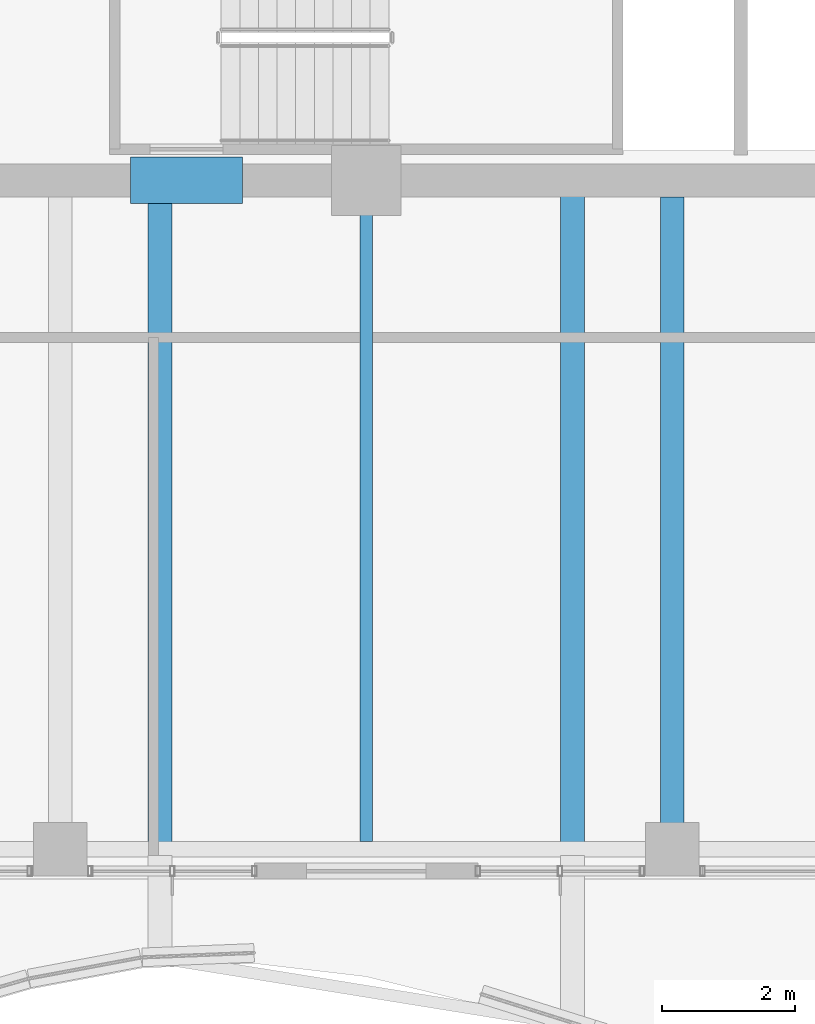
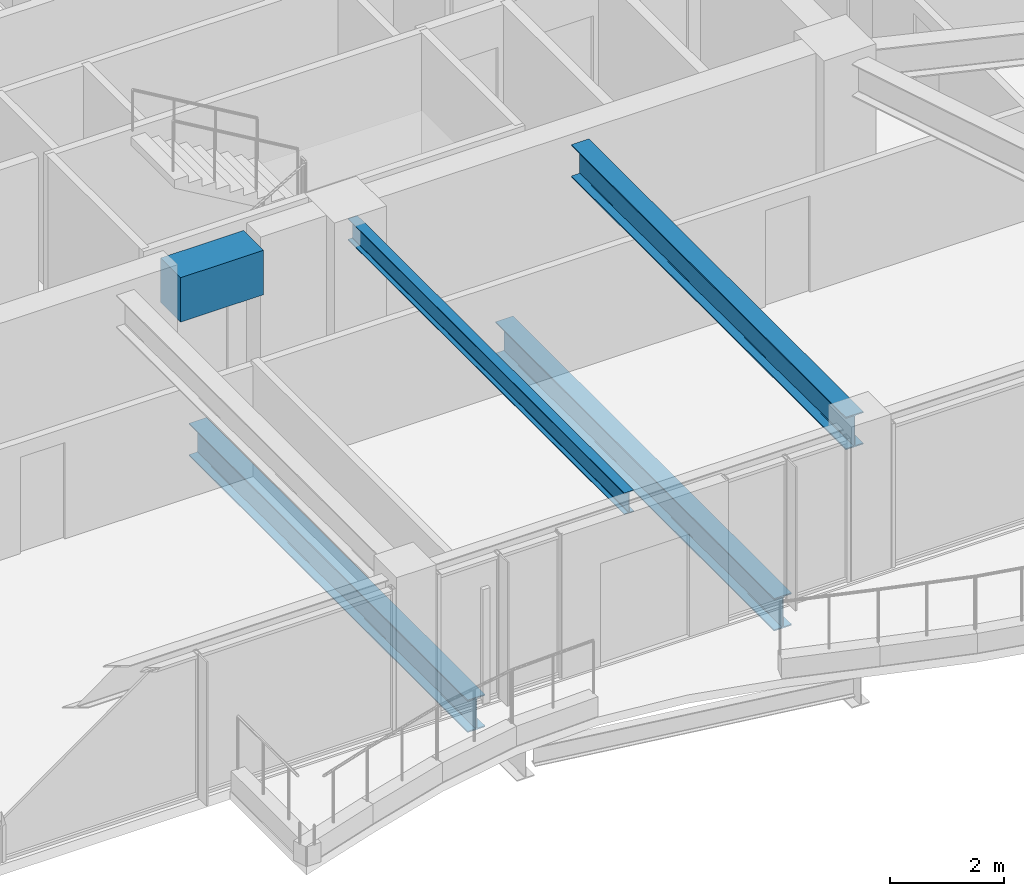
# One storey, part 8 of 36: 5 beams.
"""IFC4 building model written with IfcOpenShell, lengths in metres."""

from ifc_helpers import new_model, si_unit, direction, frame, origin, origin_2d, place, context, subcontext, project, spatial, rectangle, i_section, extrude, material, material_profile, profile_set, type_object, element, save


model = new_model("IFC4")

# Units and contexts
model_context = context("Model", 3, precision=1e-05, world=origin(), true_north=direction((0.0, 1.0)))
body_context = subcontext(model_context, "Body", "Model", "MODEL_VIEW")
ifc_project = project(units=[si_unit("LENGTHUNIT", "METRE"), si_unit("AREAUNIT", "SQUARE_METRE"), si_unit("VOLUMEUNIT", "CUBIC_METRE"), si_unit("PLANEANGLEUNIT", "RADIAN"), si_unit("MASSUNIT", "GRAM", prefix="KILO")], contexts=[model_context])

# Site, building, storey
site_placement = place(None, origin())
site = spatial("IfcSite", under=ifc_project, at=site_placement, CompositionType="ELEMENT")
building_placement = place(site_placement, origin())
building = spatial("IfcBuilding", under=site, at=building_placement, Name="Kolvaren Belvedere", CompositionType="ELEMENT")
storey_placement = place(building_placement, frame((0.0, 0.0, 199.800048828125)))
storey = spatial("IfcBuildingStorey", under=building, at=storey_placement, Name="L58", CompositionType="ELEMENT", Elevation=199.800048828125)

# Beams
ifc_material_1 = material(Name="Structural steel ASTM A992 Grade 50", Category="steel")
ifc_material_profile_1 = material_profile(ifc_material_1, i_section(OverallWidth=0.35498046875, OverallDepth=0.696044921875, WebThickness=0.015380859375, FlangeThickness=0.02490234375, FilletRadius=0.02197265625, at=origin_2d()), Name="W27X146")
ifc_profile_set_1 = profile_set([ifc_material_profile_1], Name="Structural steel ASTM A992 Grade 50")
beam_type_1 = type_object("IfcBeamType", Name="BM-GIRD-W27X146", PredefinedType="BEAM", material=ifc_profile_set_1)
for number, where, z_axis, x_axis, name in (
    (1, (-3.10009765625, -10.090087890625, -0.568115234375), (0.0, -1.0, 0.0), (1.0, 0.0, 0.0), "L58 Balcony Interior Back-Span Girder BAL-S-1"),
    (2, (3.10009765625, -10.090087890625, -0.568115234375), (0.0, -1.0, 0.0), (1.0, 0.0, 0.0), "L58 Balcony Interior Back-Span Girder BAL-S-2"),
):
    element("IfcBeam", number, at=place(storey_placement, frame(where, z_axis=z_axis, x_axis=x_axis)), inside=storey, type_object=beam_type_1, Name=name, PredefinedType="BEAM", context=body_context, shape_type="SweptSolid", body=[
        extrude(i_section(OverallWidth=0.35498046875, OverallDepth=0.696044921875, WebThickness=0.015380859375, FlangeThickness=0.02490234375, FilletRadius=0.02197265625, at=origin_2d()), origin(), (0.0, 0.0, 1.0), 9.764892578125),
    ])
beam_1_placement = place(storey_placement, frame((4.60009765625, -10.14990234375, 2.73193359375), z_axis=(0.0, -1.0, 0.0), x_axis=(1.0, 0.0, 0.0)))
element("IfcBeam", 3, at=beam_1_placement, inside=storey, type_object=beam_type_1, Name="L58 South Radial Girder P", PredefinedType="BEAM", context=body_context, shape_type="SweptSolid", body=[
    extrude(i_section(OverallWidth=0.35498046875, OverallDepth=0.696044921875, WebThickness=0.015380859375, FlangeThickness=0.02490234375, FilletRadius=0.02197265625, at=origin_2d()), origin(), (0.0, 0.0, 1.0), 9.6201171875),
])
ifc_material_2 = material(Name="Structural steel ASTM A992 Grade 50", Category="steel")
ifc_material_profile_2 = material_profile(ifc_material_2, i_section(OverallWidth=0.19091796875, OverallDepth=0.4599609375, WebThickness=0.010009765625, FlangeThickness=0.01611328125, FilletRadius=0.014892578125, at=origin_2d()), Name="W18X55")
ifc_profile_set_2 = profile_set([ifc_material_profile_2], Name="Structural steel ASTM A992 Grade 50")
beam_type_2 = type_object("IfcBeamType", Name="BM-JOIST-W18X55", PredefinedType="BEAM", material=ifc_profile_set_2)
beam_2_placement = place(storey_placement, frame((0.0, -10.14990234375, 2.849853515625), z_axis=(0.0, -1.0, 0.0), x_axis=(1.0, 0.0, 0.0)))
element("IfcBeam", 4, at=beam_2_placement, inside=storey, type_object=beam_type_2, Name="L58 South Centre Floor Beam", PredefinedType="BEAM", context=body_context, shape_type="SweptSolid", body=[
    extrude(i_section(OverallWidth=0.19091796875, OverallDepth=0.4599609375, WebThickness=0.010009765625, FlangeThickness=0.01611328125, FilletRadius=0.014892578125, at=origin_2d()), origin(), (0.0, 0.0, 1.0), 9.685546875),
])
ifc_material_3 = material(Name="Concrete C60/75", Category="concrete")
ifc_material_profile_3 = material_profile(ifc_material_3, rectangle(XDim=0.699951171875, YDim=0.949951171875, at=origin_2d()), Name="RC 700X950")
ifc_profile_set_3 = profile_set([ifc_material_profile_3], Name="Concrete C60/75")
beam_type_3 = type_object("IfcBeamType", Name="BM-LINT-950", PredefinedType="LINTEL", material=ifc_profile_set_3)
beam_3_placement = place(storey_placement, frame((-3.5400390625, -9.89990234375, 2.60498046875), z_axis=(1.0, 0.0, 0.0), x_axis=(0.0, 1.0, 0.0)))
element("IfcBeam", 5, at=beam_3_placement, inside=storey, type_object=beam_type_3, Name="L58 South Core Coupling Lintel", PredefinedType="LINTEL", context=body_context, shape_type="SweptSolid", body=[
    extrude(rectangle(XDim=0.699951171875, YDim=0.949951171875, at=origin_2d()), origin(), (0.0, 0.0, 1.0), 1.679931640625),
])

save(model, "model.ifc")
